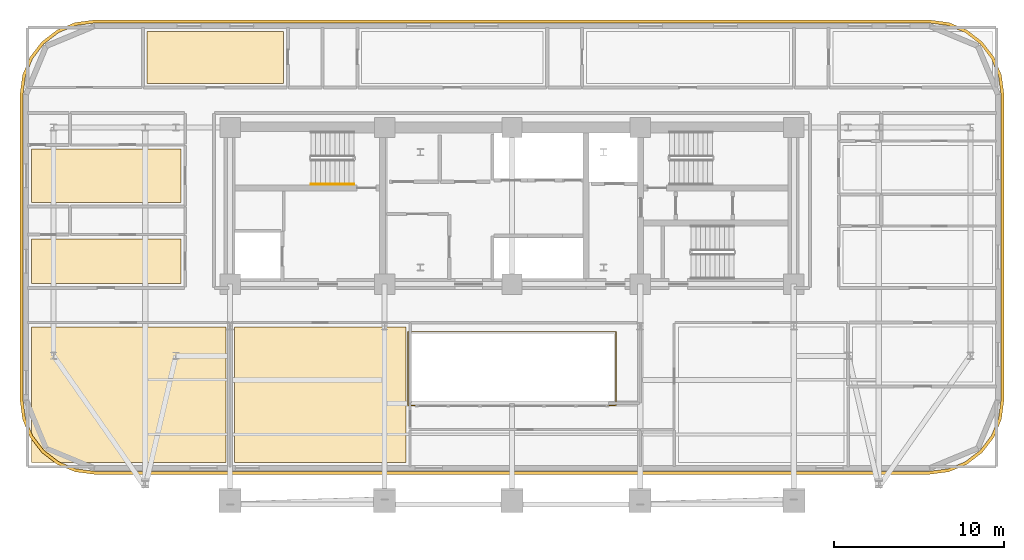
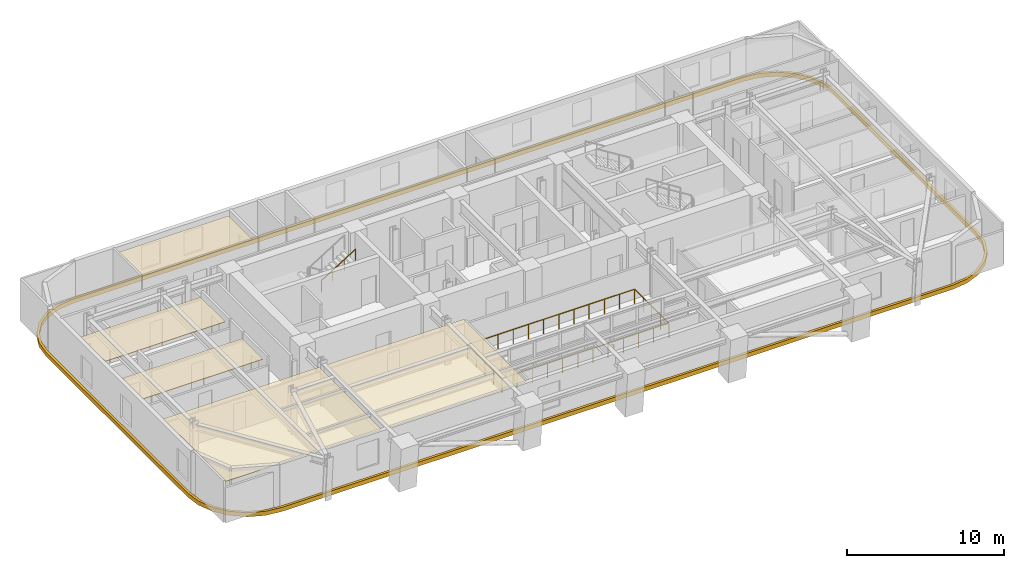
# One storey, part 12 of 14: 6 coverings, 2 railings.
"""IFC4 building model written with IfcOpenShell, lengths in metres."""

from ifc_helpers import new_model, si_unit, direction, frame, origin, origin_2d, place, context, subcontext, project, spatial, polyline, rectangle, outline, extrude, material, layer, layer_set, type_object, element, save


model = new_model("IFC4")

# Units and contexts
model_context = context("Model", 3, precision=1e-05, world=origin(), true_north=direction((0.0, 1.0)))
body_context = subcontext(model_context, "Body", "Model", "MODEL_VIEW")
ifc_project = project(units=[si_unit("LENGTHUNIT", "METRE"), si_unit("AREAUNIT", "SQUARE_METRE"), si_unit("VOLUMEUNIT", "CUBIC_METRE"), si_unit("PLANEANGLEUNIT", "RADIAN"), si_unit("MASSUNIT", "GRAM", prefix="KILO")], contexts=[model_context])

# Site, building, storey
site_placement = place(None, origin())
site = spatial("IfcSite", under=ifc_project, at=site_placement, CompositionType="ELEMENT")
building_placement = place(site_placement, origin())
building = spatial("IfcBuilding", under=site, at=building_placement, Name="Zarnavel Station Tower", CompositionType="ELEMENT")
storey_placement = place(building_placement, frame((0.0, 0.0, 122.300048828125)))
storey = spatial("IfcBuildingStorey", under=building, at=storey_placement, Name="L33", CompositionType="ELEMENT", Elevation=122.300048828125)

# Coverings
ifc_material_1 = material(Name="Perforated Gypsum and Mineral-Wool Acoustic Ceiling", Category="concrete")
ifc_layer = layer(ifc_material_1, 0.0400390625)
ifc_layer_set = layer_set([ifc_layer], Name="COV_CEIL_ACOUSTIC")
covering_type_1 = type_object("IfcCoveringType", Name="COV_CEIL_ACOUSTIC", PredefinedType="CEILING", material=ifc_layer_set)
covering_1_placement = place(storey_placement, frame((0.0, 0.0, 2.919921875)))
element("IfcCovering", 1, at=covering_1_placement, inside=storey, type_object=covering_type_1, Name="L33 FNW1R Acoustic Ceiling", PredefinedType="CEILING", context=body_context, shape_type="SweptSolid", body=[
    extrude(outline(polyline([(0.510009765625, 27.85009765625), (9.300048828125, 27.85009765625), (9.300048828125, 30.490966796875), (0.510009765625, 30.490966796875), (0.510009765625, 27.85009765625)])), origin(), (0.0, 0.0, 1.0), 0.0400390625),
])
covering_2_placement = place(storey_placement, frame((0.0, 0.0, 2.919921875)))
element("IfcCovering", 2, at=covering_2_placement, inside=storey, type_object=covering_type_1, Name="L33 FNW2R Acoustic Ceiling", PredefinedType="CEILING", context=body_context, shape_type="SweptSolid", body=[
    extrude(outline(polyline([(0.510009765625, 32.64111328125), (9.300048828125, 32.64111328125), (9.300048828125, 35.777099609375), (0.510009765625, 35.777099609375), (0.510009765625, 32.64111328125)])), origin(), (0.0, 0.0, 1.0), 0.0400390625),
])
covering_3_placement = place(storey_placement, frame((0.0, 0.0, 2.919921875)))
element("IfcCovering", 3, at=covering_3_placement, inside=storey, type_object=covering_type_1, Name="L33 HN1R Acoustic Ceiling", PredefinedType="CEILING", context=body_context, shape_type="SweptSolid", body=[
    extrude(outline(polyline([(7.31005859375, 39.64990234375), (15.344970703125, 39.64990234375), (15.344970703125, 42.68994140625), (7.31005859375, 42.68994140625), (7.31005859375, 39.64990234375)])), origin(), (0.0, 0.0, 1.0), 0.0400390625),
])
covering_4_placement = place(storey_placement, frame((0.0, 0.0, 2.919921875)))
element("IfcCovering", 4, at=covering_4_placement, inside=storey, type_object=covering_type_1, Name="L33 L33SPA Acoustic Ceiling", PredefinedType="CEILING", context=body_context, shape_type="SweptSolid", body=[
    extrude(outline(polyline([(0.510009765625, 17.31005859375), (11.949951171875, 17.31005859375), (11.949951171875, 25.300048828125), (0.510009765625, 25.300048828125), (0.510009765625, 17.31005859375)])), origin(), (0.0, 0.0, 1.0), 0.0400390625),
])
covering_5_placement = place(storey_placement, frame((0.0, 0.0, 2.919921875)))
element("IfcCovering", 5, at=covering_5_placement, inside=storey, type_object=covering_type_1, Name="L33 L33TRM Acoustic Ceiling", PredefinedType="CEILING", context=body_context, shape_type="SweptSolid", body=[
    extrude(outline(polyline([(12.449951171875, 17.31005859375), (22.550048828125, 17.31005859375), (22.550048828125, 25.300048828125), (12.449951171875, 25.300048828125), (12.449951171875, 17.31005859375)])), origin(), (0.0, 0.0, 1.0), 0.0400390625),
])
ifc_material_2 = material(Name="Precast concrete C45/55 (Pale Travertine Slab Band)", Category="masonry")
covering_type_2 = type_object("IfcCoveringType", Name="COV_TRAVERTINE_BAND", PredefinedType="CLADDING", material=ifc_material_2)
covering_6_placement = place(storey_placement, frame((0.0, 0.0, -0.260009765625)))
element("IfcCovering", 6, at=covering_6_placement, inside=storey, type_object=covering_type_2, Name="L33 Pale Travertine Slab-Edge Band", PredefinedType="CLADDING", context=body_context, shape_type="SweptSolid", body=[
    extrude(outline(polyline([(53.39990234375, 16.6201171875), (54.53369140625, 16.769287109375), (55.590087890625, 17.206787109375), (56.4970703125, 17.90283203125), (57.193115234375, 18.81005859375), (57.630859375, 19.866455078125), (57.780029296875, 21.0), (57.780029296875, 39.0), (57.630859375, 40.133544921875), (57.193115234375, 41.18994140625), (56.4970703125, 42.09716796875), (55.590087890625, 42.793212890625), (54.53369140625, 43.230712890625), (53.39990234375, 43.3798828125), (4.199951171875, 43.3798828125), (3.06640625, 43.230712890625), (2.010009765625, 42.793212890625), (1.102783203125, 42.09716796875), (0.40673828125, 41.18994140625), (-0.03076171875, 40.133544921875), (-0.179931640625, 39.0), (-0.179931640625, 21.0), (-0.03076171875, 19.866455078125), (0.40673828125, 18.81005859375), (1.102783203125, 17.90283203125), (2.010009765625, 17.206787109375), (3.06640625, 16.769287109375), (4.199951171875, 16.6201171875), (53.39990234375, 16.6201171875)]), holes=[polyline([(53.39990234375, 16.800048828125), (54.487060546875, 16.943115234375), (55.5, 17.36279296875), (56.369873046875, 18.0302734375), (57.037353515625, 18.89990234375), (57.456787109375, 19.9130859375), (57.60009765625, 21.0), (57.60009765625, 39.0), (57.456787109375, 40.0869140625), (57.037353515625, 41.10009765625), (56.369873046875, 41.9697265625), (55.5, 42.63720703125), (54.487060546875, 43.056884765625), (53.39990234375, 43.199951171875), (4.199951171875, 43.199951171875), (3.113037109375, 43.056884765625), (2.10009765625, 42.63720703125), (1.230224609375, 41.9697265625), (0.562744140625, 41.10009765625), (0.14306640625, 40.0869140625), (0.0, 39.0), (0.0, 21.0), (0.14306640625, 19.9130859375), (0.562744140625, 18.89990234375), (1.230224609375, 18.0302734375), (2.10009765625, 17.36279296875), (3.113037109375, 16.943115234375), (4.199951171875, 16.800048828125), (53.39990234375, 16.800048828125)])]), origin(), (0.0, 0.0, 1.0), 0.320068359375),
])

# Railings
ifc_material_3 = material(Name="Painted Steel S355J2 Balustrade", Category="steel")
railing_type_1 = type_object("IfcRailingType", Name="GR_INT_1150", PredefinedType="GUARDRAIL", material=ifc_material_3)
railing_1_placement = place(storey_placement, frame((22.679931640625, 20.679931640625, 0.0)))
element("IfcRailing", 7, at=railing_1_placement, inside=storey, type_object=railing_type_1, Name="L33 Atrium Void Guardrail", PredefinedType="GUARDRAIL", context=body_context, shape_type="SweptSolid", body=[
    extrude(rectangle(XDim=0.048095703125, YDim=0.048095703125, at=origin_2d()), frame((0.001953125, 0.0, 1.1259765625), z_axis=(1.0, 0.0, 0.0), x_axis=(0.0, 1.0, 0.0)), (0.0, 0.0, 1.0), 12.236083984375),
    extrude(rectangle(XDim=0.048095703125, YDim=0.048095703125, at=origin_2d()), frame((12.239990234375, 0.001953125, 1.1259765625), z_axis=(0.0, 1.0, 0.0), x_axis=(-1.0, 0.0, 0.0)), (0.0, 0.0, 1.0), 4.336181640625),
    extrude(rectangle(XDim=0.048095703125, YDim=0.048095703125, at=origin_2d()), frame((12.238037109375, 4.340087890625, 1.1259765625), z_axis=(-1.0, 0.0, 0.0), x_axis=(0.0, -1.0, 0.0)), (0.0, 0.0, 1.0), 12.236083984375),
    extrude(rectangle(XDim=0.048095703125, YDim=0.048095703125, at=origin_2d()), frame((0.0, 4.338134765625, 1.1259765625), z_axis=(0.0, -1.0, 0.0), x_axis=(1.0, 0.0, 0.0)), (0.0, 0.0, 1.0), 4.336181640625),
    extrude(rectangle(XDim=0.0419921875, YDim=0.0419921875, at=origin_2d()), origin(), (0.0, 0.0, 1.0), 1.101806640625),
    extrude(rectangle(XDim=0.0419921875, YDim=0.0419921875, at=origin_2d()), frame((1.11279296875, 0.0, 0.0)), (0.0, 0.0, 1.0), 1.101806640625),
    extrude(rectangle(XDim=0.0419921875, YDim=0.0419921875, at=origin_2d()), frame((2.225341796875, 0.0, 0.0)), (0.0, 0.0, 1.0), 1.101806640625),
    extrude(rectangle(XDim=0.0419921875, YDim=0.0419921875, at=origin_2d()), frame((3.338134765625, 0.0, 0.0)), (0.0, 0.0, 1.0), 1.101806640625),
    extrude(rectangle(XDim=0.0419921875, YDim=0.0419921875, at=origin_2d()), frame((4.450927734375, 0.0, 0.0)), (0.0, 0.0, 1.0), 1.101806640625),
    extrude(rectangle(XDim=0.0419921875, YDim=0.0419921875, at=origin_2d()), frame((5.563720703125, 0.0, 0.0)), (0.0, 0.0, 1.0), 1.101806640625),
    extrude(rectangle(XDim=0.0419921875, YDim=0.0419921875, at=origin_2d()), frame((6.67626953125, 0.0, 0.0)), (0.0, 0.0, 1.0), 1.101806640625),
    extrude(rectangle(XDim=0.0419921875, YDim=0.0419921875, at=origin_2d()), frame((7.7890625, 0.0, 0.0)), (0.0, 0.0, 1.0), 1.101806640625),
    extrude(rectangle(XDim=0.0419921875, YDim=0.0419921875, at=origin_2d()), frame((8.90185546875, 0.0, 0.0)), (0.0, 0.0, 1.0), 1.101806640625),
    extrude(rectangle(XDim=0.0419921875, YDim=0.0419921875, at=origin_2d()), frame((10.0146484375, 0.0, 0.0)), (0.0, 0.0, 1.0), 1.101806640625),
    extrude(rectangle(XDim=0.0419921875, YDim=0.0419921875, at=origin_2d()), frame((11.127197265625, 0.0, 0.0)), (0.0, 0.0, 1.0), 1.101806640625),
    extrude(rectangle(XDim=0.0419921875, YDim=0.0419921875, at=origin_2d()), frame((12.239990234375, 0.0, 0.0)), (0.0, 0.0, 1.0), 1.101806640625),
    extrude(rectangle(XDim=0.0419921875, YDim=0.0419921875, at=origin_2d()), frame((12.239990234375, 1.0849609375, 0.0)), (0.0, 0.0, 1.0), 1.101806640625),
    extrude(rectangle(XDim=0.0419921875, YDim=0.0419921875, at=origin_2d()), frame((12.239990234375, 2.169921875, 0.0)), (0.0, 0.0, 1.0), 1.101806640625),
    extrude(rectangle(XDim=0.0419921875, YDim=0.0419921875, at=origin_2d()), frame((12.239990234375, 3.255126953125, 0.0)), (0.0, 0.0, 1.0), 1.101806640625),
    extrude(rectangle(XDim=0.0419921875, YDim=0.0419921875, at=origin_2d()), frame((12.239990234375, 4.340087890625, 0.0)), (0.0, 0.0, 1.0), 1.101806640625),
    extrude(rectangle(XDim=0.0419921875, YDim=0.0419921875, at=origin_2d()), frame((11.127197265625, 4.340087890625, 0.0)), (0.0, 0.0, 1.0), 1.101806640625),
    extrude(rectangle(XDim=0.0419921875, YDim=0.0419921875, at=origin_2d()), frame((10.0146484375, 4.340087890625, 0.0)), (0.0, 0.0, 1.0), 1.101806640625),
    extrude(rectangle(XDim=0.0419921875, YDim=0.0419921875, at=origin_2d()), frame((8.90185546875, 4.340087890625, 0.0)), (0.0, 0.0, 1.0), 1.101806640625),
    extrude(rectangle(XDim=0.0419921875, YDim=0.0419921875, at=origin_2d()), frame((7.7890625, 4.340087890625, 0.0)), (0.0, 0.0, 1.0), 1.101806640625),
    extrude(rectangle(XDim=0.0419921875, YDim=0.0419921875, at=origin_2d()), frame((6.67626953125, 4.340087890625, 0.0)), (0.0, 0.0, 1.0), 1.101806640625),
    extrude(rectangle(XDim=0.0419921875, YDim=0.0419921875, at=origin_2d()), frame((5.563720703125, 4.340087890625, 0.0)), (0.0, 0.0, 1.0), 1.101806640625),
    extrude(rectangle(XDim=0.0419921875, YDim=0.0419921875, at=origin_2d()), frame((4.450927734375, 4.340087890625, 0.0)), (0.0, 0.0, 1.0), 1.101806640625),
    extrude(rectangle(XDim=0.0419921875, YDim=0.0419921875, at=origin_2d()), frame((3.338134765625, 4.340087890625, 0.0)), (0.0, 0.0, 1.0), 1.101806640625),
    extrude(rectangle(XDim=0.0419921875, YDim=0.0419921875, at=origin_2d()), frame((2.225341796875, 4.340087890625, 0.0)), (0.0, 0.0, 1.0), 1.101806640625),
    extrude(rectangle(XDim=0.0419921875, YDim=0.0419921875, at=origin_2d()), frame((1.11279296875, 4.340087890625, 0.0)), (0.0, 0.0, 1.0), 1.101806640625),
    extrude(rectangle(XDim=0.0419921875, YDim=0.0419921875, at=origin_2d()), frame((0.0, 4.340087890625, 0.0)), (0.0, 0.0, 1.0), 1.101806640625),
    extrude(rectangle(XDim=0.0419921875, YDim=0.0419921875, at=origin_2d()), frame((0.0, 3.255126953125, 0.0)), (0.0, 0.0, 1.0), 1.101806640625),
    extrude(rectangle(XDim=0.0419921875, YDim=0.0419921875, at=origin_2d()), frame((0.0, 2.169921875, 0.0)), (0.0, 0.0, 1.0), 1.101806640625),
    extrude(rectangle(XDim=0.0419921875, YDim=0.0419921875, at=origin_2d()), frame((0.0, 1.0849609375, 0.0)), (0.0, 0.0, 1.0), 1.101806640625),
])
ifc_material_4 = material(Name="Brushed Stainless Steel S355J2 Handrail", Category="steel")
railing_type_2 = type_object("IfcRailingType", Name="HR_STAIR_900", PredefinedType="HANDRAIL", material=ifc_material_4)
railing_2_placement = place(storey_placement, frame((16.9599609375, 33.7099609375, 1.925048828125)))
element("IfcRailing", 8, at=railing_2_placement, inside=storey, type_object=railing_type_2, Name="L33 ST1 stair handrail 2", PredefinedType="HANDRAIL", context=body_context, shape_type="SweptSolid", body=[
    extrude(rectangle(XDim=0.048095703125, YDim=0.048095703125, at=origin_2d()), frame((0.001708984375, 0.0, 0.876953125), z_axis=(0.848007534815, 0.0, 0.529984170421), x_axis=(0.0, 1.0, 0.0)), (0.0, 0.0, 1.0), 2.9677734375),
    extrude(rectangle(XDim=0.0419921875, YDim=0.0419921875, at=origin_2d()), origin(), (0.0, 0.0, 1.0), 0.851806640625),
    extrude(rectangle(XDim=0.0419921875, YDim=0.0419921875, at=origin_2d()), frame((0.840087890625, 0.0, 0.52490234375)), (0.0, 0.0, 1.0), 0.851806640625),
    extrude(rectangle(XDim=0.0419921875, YDim=0.0419921875, at=origin_2d()), frame((1.679931640625, 0.0, 1.050048828125)), (0.0, 0.0, 1.0), 0.851806640625),
    extrude(rectangle(XDim=0.0419921875, YDim=0.0419921875, at=origin_2d()), frame((2.52001953125, 0.0, 1.574951171875)), (0.0, 0.0, 1.0), 0.851806640625),
])

save(model, "model.ifc")
